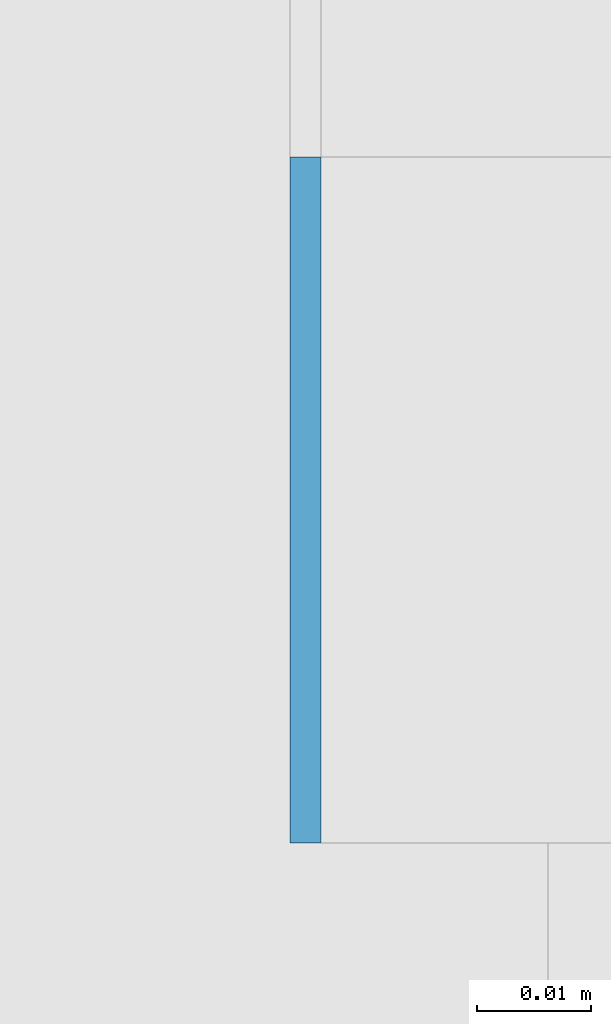
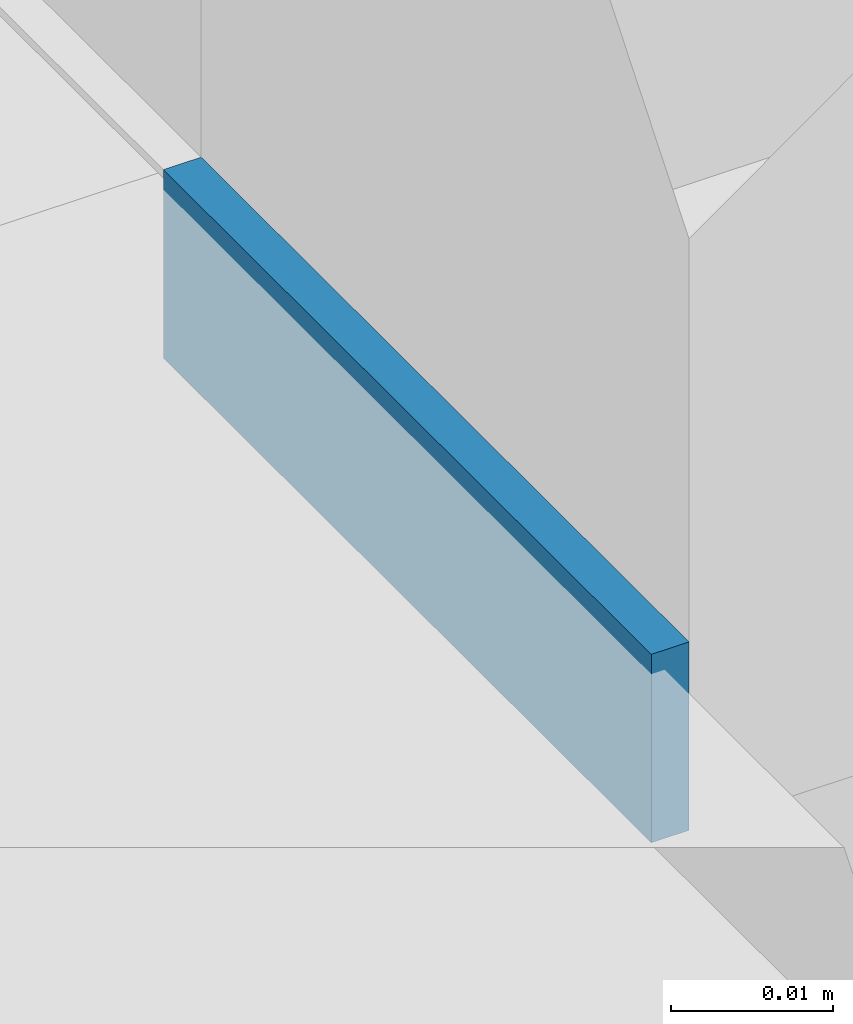
# One storey, part 476 of 646: 1 discrete accessory.
"""IFC4 building model written with IfcOpenShell, lengths in metres."""

from ifc_helpers import new_model, si_unit, direction, frame, origin, origin_2d, place, context, subcontext, project, spatial, rectangle, extrude, material, type_object, element, save


model = new_model("IFC4")

# Units and contexts
model_context = context("Model", 3, precision=1e-05, world=origin(), true_north=direction((0.0, 1.0)))
body_context = subcontext(model_context, "Body", "Model", "MODEL_VIEW")
ifc_project = project(units=[si_unit("LENGTHUNIT", "METRE"), si_unit("AREAUNIT", "SQUARE_METRE"), si_unit("VOLUMEUNIT", "CUBIC_METRE"), si_unit("PLANEANGLEUNIT", "RADIAN"), si_unit("MASSUNIT", "GRAM", prefix="KILO")], contexts=[model_context])

# Site, building, storey
site_placement = place(None, origin())
site = spatial("IfcSite", under=ifc_project, at=site_placement, CompositionType="ELEMENT")
building_placement = place(site_placement, origin())
building = spatial("IfcBuilding", under=site, at=building_placement, Name="Silverbay Arena", CompositionType="ELEMENT")
storey_placement = place(building_placement, frame((0.0, 0.0, 33.5)))
storey = spatial("IfcBuildingStorey", under=building, at=storey_placement, Name="L05", CompositionType="ELEMENT", Elevation=33.5)

# Discrete accessory
ifc_material = material(Name="Steel S355", Category="steel")
discrete_accessory_type = type_object("IfcDiscreteAccessoryType", Name="Steel bracket plate", PredefinedType="BRACKET", material=ifc_material)
discrete_accessory_placement = place(storey_placement, frame((207.128662109375, 53.969970703125, 4.0), z_axis=(0.0, 0.0, 1.0), x_axis=(1.0, 0.0, 0.0)))
element("IfcDiscreteAccessory", 1, at=discrete_accessory_placement, inside=storey, type_object=discrete_accessory_type, Name="Curtain wall packing plate", PredefinedType="BRACKET", context=body_context, shape_type="SweptSolid", body=[
    extrude(rectangle(XDim=0.002685546875, YDim=0.06005859375, at=origin_2d()), origin(), (0.0, 0.0, 1.0), 0.01416015625),
])

save(model, "model.ifc")
